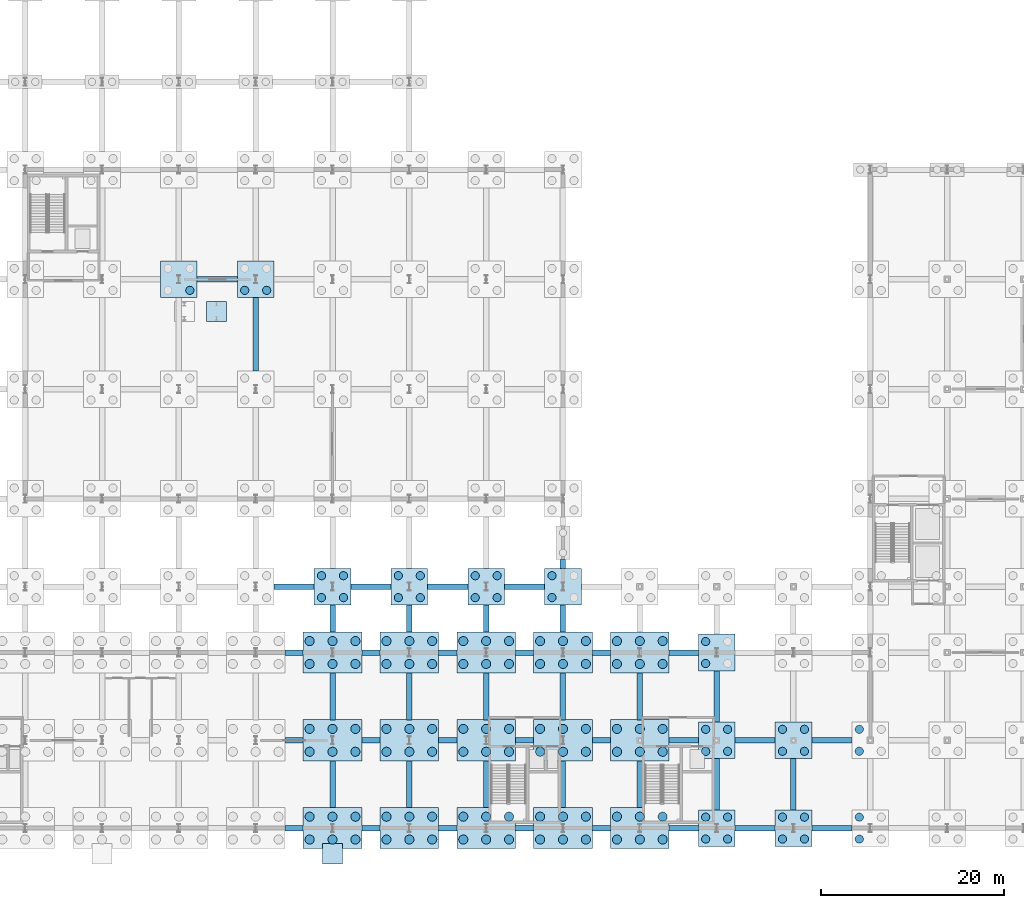
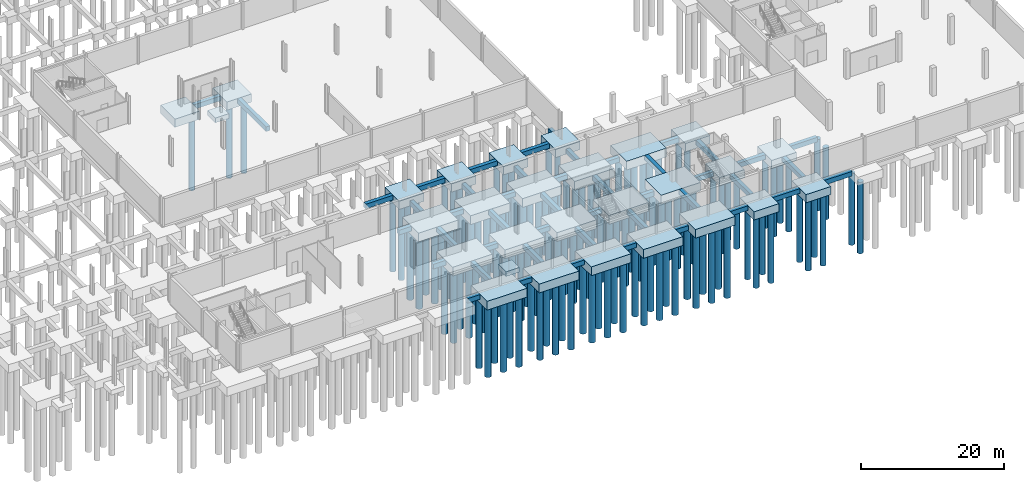
# One storey, part 3 of 29: 129 piles, 74 footings.
"""IFC4 building model written with IfcOpenShell, lengths in metres."""

from ifc_helpers import new_model, si_unit, direction, frame, origin, origin_2d, place, context, subcontext, project, spatial, rectangle, circle, extrude, material, material_profile, profile_set, type_object, element, save


model = new_model("IFC4")

# Units and contexts
model_context = context("Model", 3, precision=1e-05, world=origin(), true_north=direction((0.0, 1.0)))
body_context = subcontext(model_context, "Body", "Model", "MODEL_VIEW")
ifc_project = project(units=[si_unit("LENGTHUNIT", "METRE"), si_unit("AREAUNIT", "SQUARE_METRE"), si_unit("VOLUMEUNIT", "CUBIC_METRE"), si_unit("PLANEANGLEUNIT", "RADIAN"), si_unit("MASSUNIT", "GRAM", prefix="KILO")], contexts=[model_context])

# Site, building, storey
site_placement = place(None, origin())
site = spatial("IfcSite", under=ifc_project, at=site_placement, CompositionType="ELEMENT")
building_placement = place(site_placement, origin())
building = spatial("IfcBuilding", under=site, at=building_placement, Name="Veltarok Museum of Natural Sciences", CompositionType="ELEMENT")
storey_placement = place(building_placement, frame((0.0, 0.0, -4.800048828125)))
storey = spatial("IfcBuildingStorey", under=building, at=storey_placement, Name="B1", CompositionType="ELEMENT", Elevation=-4.800048828125)

# Piles
ifc_material = material(Name="Concrete C35/45", Category="concrete")
ifc_material_profile_1 = material_profile(ifc_material, circle(Radius=0.5, at=origin_2d()), Name="BP D1000")
ifc_profile_set_1 = profile_set([ifc_material_profile_1], Name="Concrete C35/45")
pile_type_1 = type_object("IfcPileType", Name="Bored Bedrock Pile D1000", PredefinedType="BORED", material=ifc_profile_set_1)
for number, where, z_axis, x_axis, name in (
    (1, (71.10009765625, -1.25, -1.89990234375), (0.0, 0.0, -1.0), (1.0, 0.0, 0.0), "Bored Pile BP-1000 279"),
    (2, (73.60009765625, -1.25, -1.89990234375), (0.0, 0.0, -1.0), (1.0, 0.0, 0.0), "Bored Pile BP-1000 280"),
    (3, (76.10009765625, -1.25, -1.89990234375), (0.0, 0.0, -1.0), (1.0, 0.0, 0.0), "Bored Pile BP-1000 281"),
    (4, (71.10009765625, 1.25, -1.89990234375), (0.0, 0.0, -1.0), (1.0, 0.0, 0.0), "Bored Pile BP-1000 282"),
    (5, (73.60009765625, 1.25, -1.89990234375), (0.0, 0.0, -1.0), (1.0, 0.0, 0.0), "Bored Pile BP-1000 283"),
    (6, (76.10009765625, 1.25, -1.89990234375), (0.0, 0.0, -1.0), (1.0, 0.0, 0.0), "Bored Pile BP-1000 284"),
    (7, (71.10009765625, 8.35009765625, -1.89990234375), (0.0, 0.0, -1.0), (1.0, 0.0, 0.0), "Bored Pile BP-1000 285"),
    (8, (73.60009765625, 8.35009765625, -1.89990234375), (0.0, 0.0, -1.0), (1.0, 0.0, 0.0), "Bored Pile BP-1000 286"),
    (9, (76.10009765625, 8.35009765625, -1.89990234375), (0.0, 0.0, -1.0), (1.0, 0.0, 0.0), "Bored Pile BP-1000 287"),
    (10, (71.10009765625, 10.85009765625, -1.89990234375), (0.0, 0.0, -1.0), (1.0, 0.0, 0.0), "Bored Pile BP-1000 288"),
    (11, (73.60009765625, 10.85009765625, -1.89990234375), (0.0, 0.0, -1.0), (1.0, 0.0, 0.0), "Bored Pile BP-1000 289"),
    (12, (76.10009765625, 10.85009765625, -1.89990234375), (0.0, 0.0, -1.0), (1.0, 0.0, 0.0), "Bored Pile BP-1000 290"),
    (13, (71.10009765625, 17.949951171875, -1.89990234375), (0.0, 0.0, -1.0), (1.0, 0.0, 0.0), "Bored Pile BP-1000 291"),
    (14, (73.60009765625, 17.949951171875, -1.89990234375), (0.0, 0.0, -1.0), (1.0, 0.0, 0.0), "Bored Pile BP-1000 292"),
    (15, (76.10009765625, 17.949951171875, -1.89990234375), (0.0, 0.0, -1.0), (1.0, 0.0, 0.0), "Bored Pile BP-1000 293"),
    (16, (71.10009765625, 20.449951171875, -1.89990234375), (0.0, 0.0, -1.0), (1.0, 0.0, 0.0), "Bored Pile BP-1000 294"),
    (17, (73.60009765625, 20.449951171875, -1.89990234375), (0.0, 0.0, -1.0), (1.0, 0.0, 0.0), "Bored Pile BP-1000 295"),
    (18, (76.10009765625, 20.449951171875, -1.89990234375), (0.0, 0.0, -1.0), (1.0, 0.0, 0.0), "Bored Pile BP-1000 296"),
    (19, (79.5, -1.25, -1.89990234375), (0.0, 0.0, -1.0), (1.0, 0.0, 0.0), "Bored Pile BP-1000 325"),
    (20, (82.0, -1.25, -1.89990234375), (0.0, 0.0, -1.0), (1.0, 0.0, 0.0), "Bored Pile BP-1000 326"),
    (21, (84.5, -1.25, -1.89990234375), (0.0, 0.0, -1.0), (1.0, 0.0, 0.0), "Bored Pile BP-1000 327"),
    (22, (79.5, 1.25, -1.89990234375), (0.0, 0.0, -1.0), (1.0, 0.0, 0.0), "Bored Pile BP-1000 328"),
    (23, (82.0, 1.25, -1.89990234375), (0.0, 0.0, -1.0), (1.0, 0.0, 0.0), "Bored Pile BP-1000 329"),
    (24, (84.5, 1.25, -1.89990234375), (0.0, 0.0, -1.0), (1.0, 0.0, 0.0), "Bored Pile BP-1000 330"),
    (25, (79.5, 8.35009765625, -1.89990234375), (0.0, 0.0, -1.0), (1.0, 0.0, 0.0), "Bored Pile BP-1000 331"),
    (26, (82.0, 8.35009765625, -1.89990234375), (0.0, 0.0, -1.0), (1.0, 0.0, 0.0), "Bored Pile BP-1000 332"),
    (27, (84.5, 8.35009765625, -1.89990234375), (0.0, 0.0, -1.0), (1.0, 0.0, 0.0), "Bored Pile BP-1000 333"),
    (28, (79.5, 10.85009765625, -1.89990234375), (0.0, 0.0, -1.0), (1.0, 0.0, 0.0), "Bored Pile BP-1000 334"),
    (29, (82.0, 10.85009765625, -1.89990234375), (0.0, 0.0, -1.0), (1.0, 0.0, 0.0), "Bored Pile BP-1000 335"),
    (30, (84.5, 10.85009765625, -1.89990234375), (0.0, 0.0, -1.0), (1.0, 0.0, 0.0), "Bored Pile BP-1000 336"),
    (31, (79.5, 17.949951171875, -1.89990234375), (0.0, 0.0, -1.0), (1.0, 0.0, 0.0), "Bored Pile BP-1000 337"),
    (32, (82.0, 17.949951171875, -1.89990234375), (0.0, 0.0, -1.0), (1.0, 0.0, 0.0), "Bored Pile BP-1000 338"),
    (33, (84.5, 17.949951171875, -1.89990234375), (0.0, 0.0, -1.0), (1.0, 0.0, 0.0), "Bored Pile BP-1000 339"),
    (34, (79.5, 20.449951171875, -1.89990234375), (0.0, 0.0, -1.0), (1.0, 0.0, 0.0), "Bored Pile BP-1000 340"),
    (35, (82.0, 20.449951171875, -1.89990234375), (0.0, 0.0, -1.0), (1.0, 0.0, 0.0), "Bored Pile BP-1000 341"),
    (36, (84.5, 20.449951171875, -1.89990234375), (0.0, 0.0, -1.0), (1.0, 0.0, 0.0), "Bored Pile BP-1000 342"),
    (37, (87.89990234375, -1.25, -1.89990234375), (0.0, 0.0, -1.0), (1.0, 0.0, 0.0), "Bored Pile BP-1000 371"),
    (38, (90.39990234375, -1.25, -1.89990234375), (0.0, 0.0, -1.0), (1.0, 0.0, 0.0), "Bored Pile BP-1000 372"),
    (39, (92.89990234375, -1.25, -1.89990234375), (0.0, 0.0, -1.0), (1.0, 0.0, 0.0), "Bored Pile BP-1000 373"),
    (40, (87.89990234375, 1.25, -1.89990234375), (0.0, 0.0, -1.0), (1.0, 0.0, 0.0), "Bored Pile BP-1000 374"),
    (41, (90.39990234375, 1.25, -1.89990234375), (0.0, 0.0, -1.0), (1.0, 0.0, 0.0), "Bored Pile BP-1000 375"),
    (42, (92.89990234375, 1.25, -1.89990234375), (0.0, 0.0, -1.0), (1.0, 0.0, 0.0), "Bored Pile BP-1000 376"),
    (43, (87.89990234375, 8.35009765625, -1.89990234375), (0.0, 0.0, -1.0), (1.0, 0.0, 0.0), "Bored Pile BP-1000 377"),
    (44, (90.39990234375, 8.35009765625, -1.89990234375), (0.0, 0.0, -1.0), (1.0, 0.0, 0.0), "Bored Pile BP-1000 378"),
    (45, (92.89990234375, 8.35009765625, -1.89990234375), (0.0, 0.0, -1.0), (1.0, 0.0, 0.0), "Bored Pile BP-1000 379"),
    (46, (87.89990234375, 10.85009765625, -1.89990234375), (0.0, 0.0, -1.0), (1.0, 0.0, 0.0), "Bored Pile BP-1000 380"),
    (47, (90.39990234375, 10.85009765625, -1.89990234375), (0.0, 0.0, -1.0), (1.0, 0.0, 0.0), "Bored Pile BP-1000 381"),
    (48, (92.89990234375, 10.85009765625, -1.89990234375), (0.0, 0.0, -1.0), (1.0, 0.0, 0.0), "Bored Pile BP-1000 382"),
    (49, (87.89990234375, 17.949951171875, -1.89990234375), (0.0, 0.0, -1.0), (1.0, 0.0, 0.0), "Bored Pile BP-1000 383"),
    (50, (90.39990234375, 17.949951171875, -1.89990234375), (0.0, 0.0, -1.0), (1.0, 0.0, 0.0), "Bored Pile BP-1000 384"),
    (51, (92.89990234375, 17.949951171875, -1.89990234375), (0.0, 0.0, -1.0), (1.0, 0.0, 0.0), "Bored Pile BP-1000 385"),
    (52, (87.89990234375, 20.449951171875, -1.89990234375), (0.0, 0.0, -1.0), (1.0, 0.0, 0.0), "Bored Pile BP-1000 386"),
    (53, (90.39990234375, 20.449951171875, -1.89990234375), (0.0, 0.0, -1.0), (1.0, 0.0, 0.0), "Bored Pile BP-1000 387"),
    (54, (92.89990234375, 20.449951171875, -1.89990234375), (0.0, 0.0, -1.0), (1.0, 0.0, 0.0), "Bored Pile BP-1000 388"),
    (55, (96.300048828125, -1.25, -1.89990234375), (0.0, 0.0, -1.0), (1.0, 0.0, 0.0), "Bored Pile BP-1000 409"),
    (56, (98.800048828125, -1.25, -1.89990234375), (0.0, 0.0, -1.0), (1.0, 0.0, 0.0), "Bored Pile BP-1000 410"),
    (57, (101.300048828125, -1.25, -1.89990234375), (0.0, 0.0, -1.0), (1.0, 0.0, 0.0), "Bored Pile BP-1000 411"),
    (58, (96.300048828125, 1.25, -1.89990234375), (0.0, 0.0, -1.0), (1.0, 0.0, 0.0), "Bored Pile BP-1000 412"),
    (59, (98.800048828125, 1.25, -1.89990234375), (0.0, 0.0, -1.0), (1.0, 0.0, 0.0), "Bored Pile BP-1000 413"),
    (60, (101.300048828125, 1.25, -1.89990234375), (0.0, 0.0, -1.0), (1.0, 0.0, 0.0), "Bored Pile BP-1000 414"),
    (61, (96.300048828125, 8.35009765625, -1.89990234375), (0.0, 0.0, -1.0), (1.0, 0.0, 0.0), "Bored Pile BP-1000 415"),
    (62, (98.800048828125, 8.35009765625, -1.89990234375), (0.0, 0.0, -1.0), (1.0, 0.0, 0.0), "Bored Pile BP-1000 416"),
    (63, (101.300048828125, 8.35009765625, -1.89990234375), (0.0, 0.0, -1.0), (1.0, 0.0, 0.0), "Bored Pile BP-1000 417"),
    (64, (96.300048828125, 10.85009765625, -1.89990234375), (0.0, 0.0, -1.0), (1.0, 0.0, 0.0), "Bored Pile BP-1000 418"),
    (65, (98.800048828125, 10.85009765625, -1.89990234375), (0.0, 0.0, -1.0), (1.0, 0.0, 0.0), "Bored Pile BP-1000 419"),
    (66, (101.300048828125, 10.85009765625, -1.89990234375), (0.0, 0.0, -1.0), (1.0, 0.0, 0.0), "Bored Pile BP-1000 420"),
    (67, (96.300048828125, 17.949951171875, -1.89990234375), (0.0, 0.0, -1.0), (1.0, 0.0, 0.0), "Bored Pile BP-1000 421"),
    (68, (98.800048828125, 17.949951171875, -1.89990234375), (0.0, 0.0, -1.0), (1.0, 0.0, 0.0), "Bored Pile BP-1000 422"),
    (69, (101.300048828125, 17.949951171875, -1.89990234375), (0.0, 0.0, -1.0), (1.0, 0.0, 0.0), "Bored Pile BP-1000 423"),
    (70, (96.300048828125, 20.449951171875, -1.89990234375), (0.0, 0.0, -1.0), (1.0, 0.0, 0.0), "Bored Pile BP-1000 424"),
    (71, (98.800048828125, 20.449951171875, -1.89990234375), (0.0, 0.0, -1.0), (1.0, 0.0, 0.0), "Bored Pile BP-1000 425"),
    (72, (101.300048828125, 20.449951171875, -1.89990234375), (0.0, 0.0, -1.0), (1.0, 0.0, 0.0), "Bored Pile BP-1000 426"),
):
    element("IfcPile", number, at=place(storey_placement, frame(where, z_axis=z_axis, x_axis=x_axis)), inside=storey, type_object=pile_type_1, Name=name, PredefinedType="BORED", context=body_context, shape_type="SweptSolid", body=[
        extrude(circle(Radius=0.5, at=origin_2d()), origin(), (0.0, 0.0, 1.0), 12.10009765625),
    ])
for number, where, z_axis, x_axis, name in (
    (73, (104.699951171875, -1.25, -1.39990234375), (0.0, 0.0, -1.0), (1.0, 0.0, 0.0), "Bored Pile BP-1000 447"),
    (74, (107.199951171875, -1.25, -1.39990234375), (0.0, 0.0, -1.0), (1.0, 0.0, 0.0), "Bored Pile BP-1000 448"),
    (75, (109.699951171875, -1.25, -1.39990234375), (0.0, 0.0, -1.0), (1.0, 0.0, 0.0), "Bored Pile BP-1000 449"),
    (76, (104.699951171875, 1.25, -1.39990234375), (0.0, 0.0, -1.0), (1.0, 0.0, 0.0), "Bored Pile BP-1000 450"),
    (77, (107.199951171875, 1.25, -1.39990234375), (0.0, 0.0, -1.0), (1.0, 0.0, 0.0), "Bored Pile BP-1000 451"),
    (78, (109.699951171875, 1.25, -1.39990234375), (0.0, 0.0, -1.0), (1.0, 0.0, 0.0), "Bored Pile BP-1000 452"),
    (79, (104.699951171875, 8.35009765625, -1.39990234375), (0.0, 0.0, -1.0), (1.0, 0.0, 0.0), "Bored Pile BP-1000 453"),
    (80, (107.199951171875, 8.35009765625, -1.39990234375), (0.0, 0.0, -1.0), (1.0, 0.0, 0.0), "Bored Pile BP-1000 454"),
    (81, (109.699951171875, 8.35009765625, -1.39990234375), (0.0, 0.0, -1.0), (1.0, 0.0, 0.0), "Bored Pile BP-1000 455"),
    (82, (104.699951171875, 10.85009765625, -1.39990234375), (0.0, 0.0, -1.0), (1.0, 0.0, 0.0), "Bored Pile BP-1000 456"),
    (83, (107.199951171875, 10.85009765625, -1.39990234375), (0.0, 0.0, -1.0), (1.0, 0.0, 0.0), "Bored Pile BP-1000 457"),
    (84, (109.699951171875, 10.85009765625, -1.39990234375), (0.0, 0.0, -1.0), (1.0, 0.0, 0.0), "Bored Pile BP-1000 458"),
    (85, (104.699951171875, 17.949951171875, -1.39990234375), (0.0, 0.0, -1.0), (1.0, 0.0, 0.0), "Bored Pile BP-1000 459"),
    (86, (107.199951171875, 17.949951171875, -1.39990234375), (0.0, 0.0, -1.0), (1.0, 0.0, 0.0), "Bored Pile BP-1000 460"),
    (87, (109.699951171875, 17.949951171875, -1.39990234375), (0.0, 0.0, -1.0), (1.0, 0.0, 0.0), "Bored Pile BP-1000 461"),
    (88, (104.699951171875, 20.449951171875, -1.39990234375), (0.0, 0.0, -1.0), (1.0, 0.0, 0.0), "Bored Pile BP-1000 462"),
    (89, (107.199951171875, 20.449951171875, -1.39990234375), (0.0, 0.0, -1.0), (1.0, 0.0, 0.0), "Bored Pile BP-1000 463"),
    (90, (109.699951171875, 20.449951171875, -1.39990234375), (0.0, 0.0, -1.0), (1.0, 0.0, 0.0), "Bored Pile BP-1000 464"),
):
    element("IfcPile", number, at=place(storey_placement, frame(where, z_axis=z_axis, x_axis=x_axis)), inside=storey, type_object=pile_type_1, Name=name, PredefinedType="BORED", context=body_context, shape_type="SweptSolid", body=[
        extrude(circle(Radius=0.5, at=origin_2d()), origin(), (0.0, 0.0, 1.0), 12.60009765625),
    ])
ifc_material_profile_2 = material_profile(ifc_material, circle(Radius=0.449951171875, at=origin_2d()), Name="BP D900")
ifc_profile_set_2 = profile_set([ifc_material_profile_2], Name="Concrete C35/45")
pile_type_2 = type_object("IfcPileType", Name="Bored Bedrock Pile D900", PredefinedType="BORED", material=ifc_profile_set_2)
for number, where, z_axis, x_axis, name in (
    (91, (58.0, 58.800048828125, -1.800048828125), (0.0, 0.0, -1.0), (1.0, 0.0, 0.0), "Bored Pile BP-900 218"),
    (92, (64.0, 58.800048828125, -1.800048828125), (0.0, 0.0, -1.0), (1.0, 0.0, 0.0), "Bored Pile BP-900 263"),
    (93, (66.39990234375, 58.800048828125, -1.800048828125), (0.0, 0.0, -1.0), (1.0, 0.0, 0.0), "Bored Pile BP-900 264"),
):
    element("IfcPile", number, at=place(storey_placement, frame(where, z_axis=z_axis, x_axis=x_axis)), inside=storey, type_object=pile_type_2, Name=name, PredefinedType="BORED", context=body_context, shape_type="SweptSolid", body=[
        extrude(circle(Radius=0.449951171875, at=origin_2d()), origin(), (0.0, 0.0, 1.0), 12.199951171875),
    ])
for number, where, z_axis, x_axis, name in (
    (94, (72.39990234375, 25.199951171875, -1.300048828125), (0.0, 0.0, -1.0), (1.0, 0.0, 0.0), "Bored Pile BP-900 297"),
    (95, (74.800048828125, 25.199951171875, -1.300048828125), (0.0, 0.0, -1.0), (1.0, 0.0, 0.0), "Bored Pile BP-900 298"),
    (96, (72.39990234375, 27.60009765625, -1.300048828125), (0.0, 0.0, -1.0), (1.0, 0.0, 0.0), "Bored Pile BP-900 299"),
    (97, (74.800048828125, 27.60009765625, -1.300048828125), (0.0, 0.0, -1.0), (1.0, 0.0, 0.0), "Bored Pile BP-900 300"),
    (98, (80.800048828125, 25.199951171875, -1.300048828125), (0.0, 0.0, -1.0), (1.0, 0.0, 0.0), "Bored Pile BP-900 343"),
    (99, (83.199951171875, 25.199951171875, -1.300048828125), (0.0, 0.0, -1.0), (1.0, 0.0, 0.0), "Bored Pile BP-900 344"),
    (100, (80.800048828125, 27.60009765625, -1.300048828125), (0.0, 0.0, -1.0), (1.0, 0.0, 0.0), "Bored Pile BP-900 345"),
    (101, (83.199951171875, 27.60009765625, -1.300048828125), (0.0, 0.0, -1.0), (1.0, 0.0, 0.0), "Bored Pile BP-900 346"),
    (102, (89.199951171875, 25.199951171875, -1.300048828125), (0.0, 0.0, -1.0), (1.0, 0.0, 0.0), "Bored Pile BP-900 389"),
    (103, (91.60009765625, 25.199951171875, -1.300048828125), (0.0, 0.0, -1.0), (1.0, 0.0, 0.0), "Bored Pile BP-900 390"),
    (104, (89.199951171875, 27.60009765625, -1.300048828125), (0.0, 0.0, -1.0), (1.0, 0.0, 0.0), "Bored Pile BP-900 391"),
    (105, (91.60009765625, 27.60009765625, -1.300048828125), (0.0, 0.0, -1.0), (1.0, 0.0, 0.0), "Bored Pile BP-900 392"),
    (106, (97.60009765625, 25.199951171875, -1.300048828125), (0.0, 0.0, -1.0), (1.0, 0.0, 0.0), "Bored Pile BP-900 427"),
    (107, (97.60009765625, 27.60009765625, -1.300048828125), (0.0, 0.0, -1.0), (1.0, 0.0, 0.0), "Bored Pile BP-900 429"),
):
    element("IfcPile", number, at=place(storey_placement, frame(where, z_axis=z_axis, x_axis=x_axis)), inside=storey, type_object=pile_type_2, Name=name, PredefinedType="BORED", context=body_context, shape_type="SweptSolid", body=[
        extrude(circle(Radius=0.449951171875, at=origin_2d()), origin(), (0.0, 0.0, 1.0), 12.699951171875),
    ])
for number, where, z_axis, x_axis, name in (
    (108, (114.39990234375, -1.199951171875, -1.800048828125), (0.0, 0.0, -1.0), (1.0, 0.0, 0.0), "Bored Pile BP-900 469"),
    (109, (116.800048828125, -1.199951171875, -1.800048828125), (0.0, 0.0, -1.0), (1.0, 0.0, 0.0), "Bored Pile BP-900 470"),
    (110, (114.39990234375, 1.199951171875, -1.800048828125), (0.0, 0.0, -1.0), (1.0, 0.0, 0.0), "Bored Pile BP-900 471"),
    (111, (116.800048828125, 1.199951171875, -1.800048828125), (0.0, 0.0, -1.0), (1.0, 0.0, 0.0), "Bored Pile BP-900 472"),
    (112, (114.39990234375, 8.39990234375, -1.800048828125), (0.0, 0.0, -1.0), (1.0, 0.0, 0.0), "Bored Pile BP-900 473"),
    (113, (116.800048828125, 8.39990234375, -1.800048828125), (0.0, 0.0, -1.0), (1.0, 0.0, 0.0), "Bored Pile BP-900 474"),
    (114, (114.39990234375, 10.800048828125, -1.800048828125), (0.0, 0.0, -1.0), (1.0, 0.0, 0.0), "Bored Pile BP-900 475"),
    (115, (116.800048828125, 10.800048828125, -1.800048828125), (0.0, 0.0, -1.0), (1.0, 0.0, 0.0), "Bored Pile BP-900 476"),
    (116, (114.39990234375, 18.0, -1.800048828125), (0.0, 0.0, -1.0), (1.0, 0.0, 0.0), "Bored Pile BP-900 477"),
    (117, (114.39990234375, 20.39990234375, -1.800048828125), (0.0, 0.0, -1.0), (1.0, 0.0, 0.0), "Bored Pile BP-900 479"),
    (118, (122.800048828125, -1.199951171875, -1.800048828125), (0.0, 0.0, -1.0), (1.0, 0.0, 0.0), "Bored Pile BP-900 485"),
    (119, (125.199951171875, -1.199951171875, -1.800048828125), (0.0, 0.0, -1.0), (1.0, 0.0, 0.0), "Bored Pile BP-900 486"),
    (120, (122.800048828125, 1.199951171875, -1.800048828125), (0.0, 0.0, -1.0), (1.0, 0.0, 0.0), "Bored Pile BP-900 487"),
    (121, (125.199951171875, 1.199951171875, -1.800048828125), (0.0, 0.0, -1.0), (1.0, 0.0, 0.0), "Bored Pile BP-900 488"),
    (122, (122.800048828125, 8.39990234375, -1.800048828125), (0.0, 0.0, -1.0), (1.0, 0.0, 0.0), "Bored Pile BP-900 489"),
    (123, (125.199951171875, 8.39990234375, -1.800048828125), (0.0, 0.0, -1.0), (1.0, 0.0, 0.0), "Bored Pile BP-900 490"),
    (124, (122.800048828125, 10.800048828125, -1.800048828125), (0.0, 0.0, -1.0), (1.0, 0.0, 0.0), "Bored Pile BP-900 491"),
    (125, (125.199951171875, 10.800048828125, -1.800048828125), (0.0, 0.0, -1.0), (1.0, 0.0, 0.0), "Bored Pile BP-900 492"),
    (126, (131.199951171875, -1.199951171875, -1.800048828125), (0.0, 0.0, -1.0), (1.0, 0.0, 0.0), "Bored Pile BP-900 501"),
    (127, (131.199951171875, 1.199951171875, -1.800048828125), (0.0, 0.0, -1.0), (1.0, 0.0, 0.0), "Bored Pile BP-900 503"),
    (128, (131.199951171875, 8.39990234375, -1.800048828125), (0.0, 0.0, -1.0), (1.0, 0.0, 0.0), "Bored Pile BP-900 505"),
    (129, (131.199951171875, 10.800048828125, -1.800048828125), (0.0, 0.0, -1.0), (1.0, 0.0, 0.0), "Bored Pile BP-900 507"),
):
    element("IfcPile", number, at=place(storey_placement, frame(where, z_axis=z_axis, x_axis=x_axis)), inside=storey, type_object=pile_type_2, Name=name, PredefinedType="BORED", context=body_context, shape_type="SweptSolid", body=[
        extrude(circle(Radius=0.449951171875, at=origin_2d()), origin(), (0.0, 0.0, 1.0), 12.199951171875),
    ])

# Footings
footing_type_1 = type_object("IfcFootingType", Name="Canopy Pad Footing 2200x2200x800", PredefinedType="PAD_FOOTING", material=ifc_material)
for number, where, z_axis, x_axis, name in (
    (130, (73.60009765625, -2.800048828125, 4.0), (0.0, 0.0, 1.0), (1.0, 0.0, 0.0), "Canopy Pad Footing CN-S2"),
    (131, (60.919921875, 56.5048828125, -1.2998046875), (0.0, 0.0, 1.0), (1.0, 0.0, 0.0), "Atrium Stair Column Footing 2"),
):
    element("IfcFooting", number, at=place(storey_placement, frame(where, z_axis=z_axis, x_axis=x_axis)), inside=storey, type_object=footing_type_1, Name=name, PredefinedType="PAD_FOOTING", context=body_context, shape_type="SweptSolid", body=[
        extrude(rectangle(XDim=2.199951171875, YDim=2.199951171875, at=origin_2d()), origin(), (0.0, 0.0, 1.0), 0.800048828125),
    ])
footing_type_2 = type_object("IfcFootingType", Name="Four-Pile Cap 4000x4000x1400", PredefinedType="PILE_CAP", material=ifc_material)
for number, where, z_axis, x_axis, name in (
    (132, (56.800048828125, 60.0, -1.89990234375), (0.0, 0.0, 1.0), (1.0, 0.0, 0.0), "Pile Cap PC-4P 7/G"),
    (133, (65.199951171875, 60.0, -1.89990234375), (0.0, 0.0, 1.0), (1.0, 0.0, 0.0), "Pile Cap PC-4P 8/G"),
    (134, (73.60009765625, 26.39990234375, -1.39990234375), (0.0, 0.0, 1.0), (1.0, 0.0, 0.0), "Pile Cap PC-4P 9/D"),
    (135, (82.0, 26.39990234375, -1.39990234375), (0.0, 0.0, 1.0), (1.0, 0.0, 0.0), "Pile Cap PC-4P 10/D"),
    (136, (90.39990234375, 26.39990234375, -1.39990234375), (0.0, 0.0, 1.0), (1.0, 0.0, 0.0), "Pile Cap PC-4P 11/D"),
    (137, (98.800048828125, 26.39990234375, -1.39990234375), (0.0, 0.0, 1.0), (1.0, 0.0, 0.0), "Pile Cap PC-4P 12/D"),
    (138, (115.60009765625, 0.0, -1.89990234375), (0.0, 0.0, 1.0), (1.0, 0.0, 0.0), "Pile Cap PC-4P 14/A"),
    (139, (115.60009765625, 9.60009765625, -1.89990234375), (0.0, 0.0, 1.0), (1.0, 0.0, 0.0), "Pile Cap PC-4P 14/B"),
    (140, (115.60009765625, 19.199951171875, -1.89990234375), (0.0, 0.0, 1.0), (1.0, 0.0, 0.0), "Pile Cap PC-4P 14/C"),
    (141, (124.0, 0.0, -1.89990234375), (0.0, 0.0, 1.0), (1.0, 0.0, 0.0), "Pile Cap PC-4P 15/A"),
    (142, (124.0, 9.60009765625, -1.89990234375), (0.0, 0.0, 1.0), (1.0, 0.0, 0.0), "Pile Cap PC-4P 15/B"),
):
    element("IfcFooting", number, at=place(storey_placement, frame(where, z_axis=z_axis, x_axis=x_axis)), inside=storey, type_object=footing_type_2, Name=name, PredefinedType="PILE_CAP", context=body_context, shape_type="SweptSolid", body=[
        extrude(rectangle(XDim=4.0, YDim=4.0, at=origin_2d()), origin(), (0.0, 0.0, 1.0), 1.39990234375),
    ])
footing_type_3 = type_object("IfcFootingType", Name="Ground Tie Beam 600x800 L2000", PredefinedType="FOOTING_BEAM", material=ifc_material)
for number, where, z_axis, x_axis, name in (
    (143, (69.39990234375, 0.0, -1.2998046875), (0.0, 0.0, 1.0), (1.0, 0.0, 0.0), "Ground Tie Beam GB-2000 8-9/A"),
    (144, (77.800048828125, 0.0, -1.2998046875), (0.0, 0.0, 1.0), (1.0, 0.0, 0.0), "Ground Tie Beam GB-2000 9-10/A"),
    (145, (86.199951171875, 0.0, -1.2998046875), (0.0, 0.0, 1.0), (1.0, 0.0, 0.0), "Ground Tie Beam GB-2000 10-11/A"),
    (146, (94.60009765625, 0.0, -1.2998046875), (0.0, 0.0, 1.0), (1.0, 0.0, 0.0), "Ground Tie Beam GB-2000 11-12/A"),
    (147, (103.0, 0.0, -1.2998046875), (0.0, 0.0, 1.0), (1.0, 0.0, 0.0), "Ground Tie Beam GB-2000 12-13/A"),
    (148, (69.39990234375, 9.60009765625, -1.2998046875), (0.0, 0.0, 1.0), (1.0, 0.0, 0.0), "Ground Tie Beam GB-2000 8-9/B"),
    (149, (77.800048828125, 9.60009765625, -1.2998046875), (0.0, 0.0, 1.0), (1.0, 0.0, 0.0), "Ground Tie Beam GB-2000 9-10/B"),
    (150, (86.199951171875, 9.60009765625, -1.2998046875), (0.0, 0.0, 1.0), (1.0, 0.0, 0.0), "Ground Tie Beam GB-2000 10-11/B"),
    (151, (94.60009765625, 9.60009765625, -1.2998046875), (0.0, 0.0, 1.0), (1.0, 0.0, 0.0), "Ground Tie Beam GB-2000 11-12/B"),
    (152, (103.0, 9.60009765625, -1.2998046875), (0.0, 0.0, 1.0), (1.0, 0.0, 0.0), "Ground Tie Beam GB-2000 12-13/B"),
    (153, (69.39990234375, 19.199951171875, -1.2998046875), (0.0, 0.0, 1.0), (1.0, 0.0, 0.0), "Ground Tie Beam GB-2000 8-9/C"),
    (154, (77.800048828125, 19.199951171875, -1.2998046875), (0.0, 0.0, 1.0), (1.0, 0.0, 0.0), "Ground Tie Beam GB-2000 9-10/C"),
    (155, (86.199951171875, 19.199951171875, -1.2998046875), (0.0, 0.0, 1.0), (1.0, 0.0, 0.0), "Ground Tie Beam GB-2000 10-11/C"),
    (156, (94.60009765625, 19.199951171875, -1.2998046875), (0.0, 0.0, 1.0), (1.0, 0.0, 0.0), "Ground Tie Beam GB-2000 11-12/C"),
    (157, (103.0, 19.199951171875, -1.2998046875), (0.0, 0.0, 1.0), (1.0, 0.0, 0.0), "Ground Tie Beam GB-2000 12-13/C"),
):
    element("IfcFooting", number, at=place(storey_placement, frame(where, z_axis=z_axis, x_axis=x_axis)), inside=storey, type_object=footing_type_3, Name=name, PredefinedType="FOOTING_BEAM", context=body_context, shape_type="SweptSolid", body=[
        extrude(rectangle(XDim=2.0, YDim=0.60009765625, at=origin_2d()), origin(), (0.0, 0.0, 1.0), 0.800048828125),
    ])
footing_type_4 = type_object("IfcFootingType", Name="Ground Tie Beam 600x800 L2950", PredefinedType="FOOTING_BEAM", material=ifc_material)
for number, where, z_axis, x_axis, name in (
    (158, (73.60009765625, 22.925048828125, -1.2998046875), (0.0, 0.0, 1.0), (0.0, 1.0, 0.0), "Ground Tie Beam GB-2950 9/C-D"),
    (159, (82.0, 22.925048828125, -1.2998046875), (0.0, 0.0, 1.0), (0.0, 1.0, 0.0), "Ground Tie Beam GB-2950 10/C-D"),
    (160, (90.39990234375, 22.925048828125, -1.2998046875), (0.0, 0.0, 1.0), (0.0, 1.0, 0.0), "Ground Tie Beam GB-2950 11/C-D"),
    (161, (98.800048828125, 22.925048828125, -1.2998046875), (0.0, 0.0, 1.0), (0.0, 1.0, 0.0), "Ground Tie Beam GB-2950 12/C-D"),
):
    element("IfcFooting", number, at=place(storey_placement, frame(where, z_axis=z_axis, x_axis=x_axis)), inside=storey, type_object=footing_type_4, Name=name, PredefinedType="FOOTING_BEAM", context=body_context, shape_type="SweptSolid", body=[
        extrude(rectangle(XDim=2.949951171875, YDim=0.60009765625, at=origin_2d()), origin(), (0.0, 0.0, 1.0), 0.800048828125),
    ])
footing_type_5 = type_object("IfcFootingType", Name="Ground Tie Beam 600x800 L3200", PredefinedType="FOOTING_BEAM", material=ifc_material)
for number, where, z_axis, x_axis, name in (
    (162, (112.0, 0.0, -1.2998046875), (0.0, 0.0, 1.0), (1.0, 0.0, 0.0), "Ground Tie Beam GB-3200 13-14/A"),
    (163, (112.0, 9.60009765625, -1.2998046875), (0.0, 0.0, 1.0), (1.0, 0.0, 0.0), "Ground Tie Beam GB-3200 13-14/B"),
    (164, (112.0, 19.199951171875, -1.2998046875), (0.0, 0.0, 1.0), (1.0, 0.0, 0.0), "Ground Tie Beam GB-3200 13-14/C"),
):
    element("IfcFooting", number, at=place(storey_placement, frame(where, z_axis=z_axis, x_axis=x_axis)), inside=storey, type_object=footing_type_5, Name=name, PredefinedType="FOOTING_BEAM", context=body_context, shape_type="SweptSolid", body=[
        extrude(rectangle(XDim=3.199951171875, YDim=0.60009765625, at=origin_2d()), origin(), (0.0, 0.0, 1.0), 0.800048828125),
    ])
footing_type_6 = type_object("IfcFootingType", Name="Ground Tie Beam 600x800 L4400", PredefinedType="FOOTING_BEAM", material=ifc_material)
for number, where, z_axis, x_axis, name in (
    (165, (119.800048828125, 0.0, -1.2998046875), (0.0, 0.0, 1.0), (1.0, 0.0, 0.0), "Ground Tie Beam GB-4400 14-15/A"),
    (166, (128.199951171875, 0.0, -1.2998046875), (0.0, 0.0, 1.0), (1.0, 0.0, 0.0), "Ground Tie Beam GB-4400 15-16/A"),
    (167, (119.800048828125, 9.60009765625, -1.2998046875), (0.0, 0.0, 1.0), (1.0, 0.0, 0.0), "Ground Tie Beam GB-4400 14-15/B"),
    (168, (128.199951171875, 9.60009765625, -1.2998046875), (0.0, 0.0, 1.0), (1.0, 0.0, 0.0), "Ground Tie Beam GB-4400 15-16/B"),
    (169, (69.39990234375, 26.39990234375, -0.7998046875), (0.0, 0.0, 1.0), (1.0, 0.0, 0.0), "Ground Tie Beam GB-4400 8-9/D"),
    (170, (77.800048828125, 26.39990234375, -0.7998046875), (0.0, 0.0, 1.0), (1.0, 0.0, 0.0), "Ground Tie Beam GB-4400 9-10/D"),
    (171, (86.199951171875, 26.39990234375, -0.7998046875), (0.0, 0.0, 1.0), (1.0, 0.0, 0.0), "Ground Tie Beam GB-4400 10-11/D"),
    (172, (94.60009765625, 26.39990234375, -0.7998046875), (0.0, 0.0, 1.0), (1.0, 0.0, 0.0), "Ground Tie Beam GB-4400 11-12/D"),
    (173, (61.0, 60.0, -1.2998046875), (0.0, 0.0, 1.0), (1.0, 0.0, 0.0), "Ground Tie Beam GB-4400 7-8/G"),
):
    element("IfcFooting", number, at=place(storey_placement, frame(where, z_axis=z_axis, x_axis=x_axis)), inside=storey, type_object=footing_type_6, Name=name, PredefinedType="FOOTING_BEAM", context=body_context, shape_type="SweptSolid", body=[
        extrude(rectangle(XDim=4.39990234375, YDim=0.60009765625, at=origin_2d()), origin(), (0.0, 0.0, 1.0), 0.800048828125),
    ])
footing_type_7 = type_object("IfcFootingType", Name="Ground Tie Beam 600x800 L5100", PredefinedType="FOOTING_BEAM", material=ifc_material)
for number, where, z_axis, x_axis, name in (
    (174, (73.60009765625, 4.800048828125, -1.2998046875), (0.0, 0.0, 1.0), (0.0, 1.0, 0.0), "Ground Tie Beam GB-5100 9/A-B"),
    (175, (73.60009765625, 14.39990234375, -1.2998046875), (0.0, 0.0, 1.0), (0.0, 1.0, 0.0), "Ground Tie Beam GB-5100 9/B-C"),
    (176, (82.0, 4.800048828125, -1.2998046875), (0.0, 0.0, 1.0), (0.0, 1.0, 0.0), "Ground Tie Beam GB-5100 10/A-B"),
    (177, (82.0, 14.39990234375, -1.2998046875), (0.0, 0.0, 1.0), (0.0, 1.0, 0.0), "Ground Tie Beam GB-5100 10/B-C"),
    (178, (90.39990234375, 4.800048828125, -1.2998046875), (0.0, 0.0, 1.0), (0.0, 1.0, 0.0), "Ground Tie Beam GB-5100 11/A-B"),
    (179, (90.39990234375, 14.39990234375, -1.2998046875), (0.0, 0.0, 1.0), (0.0, 1.0, 0.0), "Ground Tie Beam GB-5100 11/B-C"),
    (180, (98.800048828125, 4.800048828125, -1.2998046875), (0.0, 0.0, 1.0), (0.0, 1.0, 0.0), "Ground Tie Beam GB-5100 12/A-B"),
    (181, (98.800048828125, 14.39990234375, -1.2998046875), (0.0, 0.0, 1.0), (0.0, 1.0, 0.0), "Ground Tie Beam GB-5100 12/B-C"),
    (182, (107.199951171875, 4.800048828125, -0.7998046875), (0.0, 0.0, 1.0), (0.0, 1.0, 0.0), "Ground Tie Beam GB-5100 13/A-B"),
    (183, (107.199951171875, 14.39990234375, -0.7998046875), (0.0, 0.0, 1.0), (0.0, 1.0, 0.0), "Ground Tie Beam GB-5100 13/B-C"),
):
    element("IfcFooting", number, at=place(storey_placement, frame(where, z_axis=z_axis, x_axis=x_axis)), inside=storey, type_object=footing_type_7, Name=name, PredefinedType="FOOTING_BEAM", context=body_context, shape_type="SweptSolid", body=[
        extrude(rectangle(XDim=5.10009765625, YDim=0.60009765625, at=origin_2d()), origin(), (0.0, 0.0, 1.0), 0.800048828125),
    ])
footing_type_8 = type_object("IfcFootingType", Name="Ground Tie Beam 600x800 L5600", PredefinedType="FOOTING_BEAM", material=ifc_material)
for number, where, z_axis, x_axis, name in (
    (184, (115.60009765625, 4.800048828125, -1.2998046875), (0.0, 0.0, 1.0), (0.0, 1.0, 0.0), "Ground Tie Beam GB-5600 14/A-B"),
    (185, (115.60009765625, 14.39990234375, -1.2998046875), (0.0, 0.0, 1.0), (0.0, 1.0, 0.0), "Ground Tie Beam GB-5600 14/B-C"),
    (186, (124.0, 4.800048828125, -1.2998046875), (0.0, 0.0, 1.0), (0.0, 1.0, 0.0), "Ground Tie Beam GB-5600 15/A-B"),
):
    element("IfcFooting", number, at=place(storey_placement, frame(where, z_axis=z_axis, x_axis=x_axis)), inside=storey, type_object=footing_type_8, Name=name, PredefinedType="FOOTING_BEAM", context=body_context, shape_type="SweptSolid", body=[
        extrude(rectangle(XDim=5.60009765625, YDim=0.60009765625, at=origin_2d()), origin(), (0.0, 0.0, 1.0), 0.800048828125),
    ])
footing_type_9 = type_object("IfcFootingType", Name="Ground Tie Beam 600x800 L8000", PredefinedType="FOOTING_BEAM", material=ifc_material)
footing_1_placement = place(storey_placement, frame((65.199951171875, 54.0, -1.2998046875), z_axis=(0.0, 0.0, 1.0), x_axis=(0.0, 1.0, 0.0)))
element("IfcFooting", 187, at=footing_1_placement, inside=storey, type_object=footing_type_9, Name="Ground Tie Beam GB-8000 8/F-G", PredefinedType="FOOTING_BEAM", context=body_context, shape_type="SweptSolid", body=[
    extrude(rectangle(XDim=8.0, YDim=0.60009765625, at=origin_2d()), origin(), (0.0, 0.0, 1.0), 0.800048828125),
])
footing_type_10 = type_object("IfcFootingType", Name="Ground Tie Beam 600x800 L950", PredefinedType="FOOTING_BEAM", material=ifc_material)
footing_2_placement = place(storey_placement, frame((98.800048828125, 28.875, -0.7998046875), z_axis=(0.0, 0.0, 1.0), x_axis=(0.0, 1.0, 0.0)))
element("IfcFooting", 188, at=footing_2_placement, inside=storey, type_object=footing_type_10, Name="Ground Tie Beam GB-950 12/D-E-S", PredefinedType="FOOTING_BEAM", context=body_context, shape_type="SweptSolid", body=[
    extrude(rectangle(XDim=0.949951171875, YDim=0.60009765625, at=origin_2d()), origin(), (0.0, 0.0, 1.0), 0.800048828125),
])
footing_type_11 = type_object("IfcFootingType", Name="Six-Pile Heavy Cap 6400x4300x1500", PredefinedType="PILE_CAP", material=ifc_material)
for number, where, z_axis, x_axis, name in (
    (189, (73.60009765625, 0.0, -2.0), (0.0, 0.0, 1.0), (1.0, 0.0, 0.0), "Pile Cap PC-6P 9/A"),
    (190, (73.60009765625, 9.60009765625, -2.0), (0.0, 0.0, 1.0), (1.0, 0.0, 0.0), "Pile Cap PC-6P 9/B"),
    (191, (73.60009765625, 19.199951171875, -2.0), (0.0, 0.0, 1.0), (1.0, 0.0, 0.0), "Pile Cap PC-6P 9/C"),
    (192, (82.0, 0.0, -2.0), (0.0, 0.0, 1.0), (1.0, 0.0, 0.0), "Pile Cap PC-6P 10/A"),
    (193, (82.0, 9.60009765625, -2.0), (0.0, 0.0, 1.0), (1.0, 0.0, 0.0), "Pile Cap PC-6P 10/B"),
    (194, (82.0, 19.199951171875, -2.0), (0.0, 0.0, 1.0), (1.0, 0.0, 0.0), "Pile Cap PC-6P 10/C"),
    (195, (90.39990234375, 0.0, -2.0), (0.0, 0.0, 1.0), (1.0, 0.0, 0.0), "Pile Cap PC-6P 11/A"),
    (196, (90.39990234375, 9.60009765625, -2.0), (0.0, 0.0, 1.0), (1.0, 0.0, 0.0), "Pile Cap PC-6P 11/B"),
    (197, (90.39990234375, 19.199951171875, -2.0), (0.0, 0.0, 1.0), (1.0, 0.0, 0.0), "Pile Cap PC-6P 11/C"),
    (198, (98.800048828125, 0.0, -2.0), (0.0, 0.0, 1.0), (1.0, 0.0, 0.0), "Pile Cap PC-6P 12/A"),
    (199, (98.800048828125, 9.60009765625, -2.0), (0.0, 0.0, 1.0), (1.0, 0.0, 0.0), "Pile Cap PC-6P 12/B"),
    (200, (98.800048828125, 19.199951171875, -2.0), (0.0, 0.0, 1.0), (1.0, 0.0, 0.0), "Pile Cap PC-6P 12/C"),
    (201, (107.199951171875, 0.0, -1.5), (0.0, 0.0, 1.0), (1.0, 0.0, 0.0), "Pile Cap PC-6P 13/A"),
    (202, (107.199951171875, 9.60009765625, -1.5), (0.0, 0.0, 1.0), (1.0, 0.0, 0.0), "Pile Cap PC-6P 13/B"),
    (203, (107.199951171875, 19.199951171875, -1.5), (0.0, 0.0, 1.0), (1.0, 0.0, 0.0), "Pile Cap PC-6P 13/C"),
):
    element("IfcFooting", number, at=place(storey_placement, frame(where, z_axis=z_axis, x_axis=x_axis)), inside=storey, type_object=footing_type_11, Name=name, PredefinedType="PILE_CAP", context=body_context, shape_type="SweptSolid", body=[
        extrude(rectangle(XDim=6.39990234375, YDim=4.5, at=origin_2d()), origin(), (0.0, 0.0, 1.0), 1.5),
    ])

save(model, "model.ifc")
